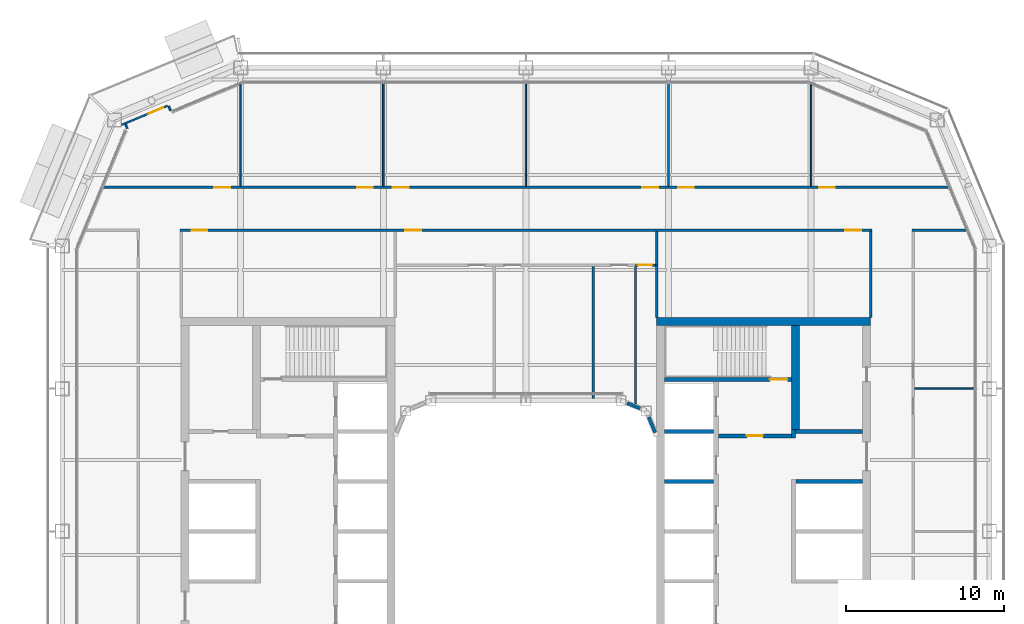
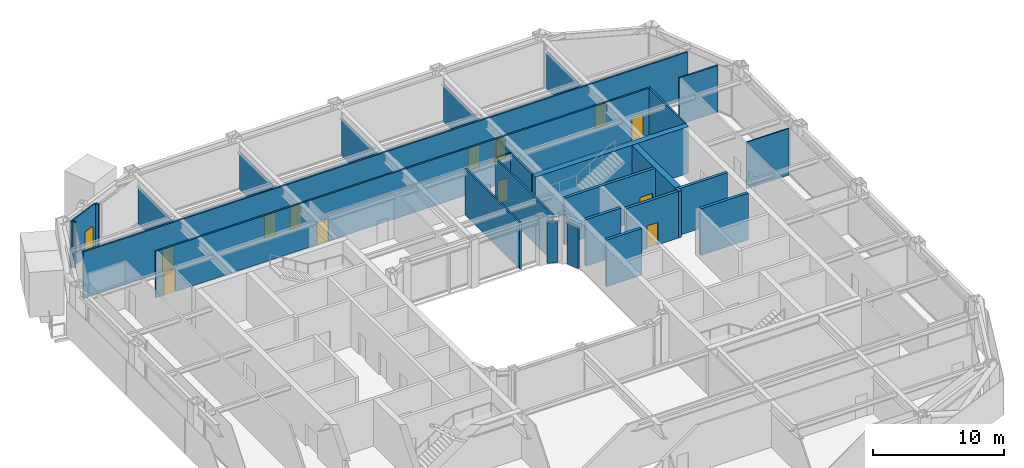
# One storey, part 14 of 23: 29 walls, 13 doors, 13 openings.
"""IFC4 building model written with IfcOpenShell, lengths in metres."""

import ifcopenshell
import ifcopenshell.guid

model = None  # the IFC model being written
_history = None  # IfcOwnerHistory: only IFC2X3 demands one
_inside = {}  # id of a spatial element -> (the spatial element, [elements in it])
_under = {}  # id of a project, library or spatial element -> (it, [spatial elements below it])
_declared = {}  # id of a project -> (the project, [libraries it declares])
_typed = {}  # id of a type object -> (the type object, [elements of that type])
_made_of = {}  # id of a material, layer set ... -> (it, [elements and type objects made of it])


def new_model(schema):
    """Start an empty IFC model of exactly this schema.

    Asked for "IFC4X3", IfcOpenShell would pick the latest addendum, in which some entities
    have other attributes; the version numbers below select the first issue.
    IFC2X3 requires an IfcOwnerHistory on every rooted entity: one is made here for all.
    """
    global model, _history
    if schema == "IFC4X3":
        model = ifcopenshell.file(schema_version=(4, 3, 0, 0))
    else:
        model = ifcopenshell.file(schema=schema)
    _inside.clear()
    _under.clear()
    _declared.clear()
    _typed.clear()
    _made_of.clear()
    _history = None
    if model.schema == "IFC2X3":
        org = make("IfcOrganization", Name="unknown")
        user = make(
            "IfcPersonAndOrganization",
            ThePerson=make("IfcPerson", FamilyName="unknown"),
            TheOrganization=org,
        )
        app = make(
            "IfcApplication",
            ApplicationDeveloper=org,
            Version="unknown",
            ApplicationFullName="unknown",
            ApplicationIdentifier="unknown",
        )
        _history = make(
            "IfcOwnerHistory",
            OwningUser=user,
            OwningApplication=app,
            ChangeAction="ADDED",
            CreationDate=0,
        )
    return model


def make(cls, **values):
    """One entity of the class cls with the attributes given. An attribute that is None is left unset."""
    return model.create_entity(
        cls, **{name: value for name, value in values.items() if value is not None}
    )


def rooted(cls, **values):
    """An entity with a GlobalId (a new one), such as an element, a storey or a relation."""
    return make(cls, GlobalId=ifcopenshell.guid.new(), OwnerHistory=_history, **values)


def si_unit(unit_type, name, prefix=None):
    """IfcSIUnit, for example si_unit("LENGTHUNIT", "METRE", prefix="MILLI")."""
    return make("IfcSIUnit", UnitType=unit_type, Prefix=prefix, Name=name)


def assignment(units):
    """IfcUnitAssignment: the units of a project."""
    return None if units is None else make("IfcUnitAssignment", Units=units)


def point(xyz):
    """IfcCartesianPoint."""
    return None if xyz is None else make("IfcCartesianPoint", Coordinates=xyz)


def direction(xyz):
    """IfcDirection."""
    return None if xyz is None else make("IfcDirection", DirectionRatios=xyz)


def frame(location, z_axis=None, x_axis=None):
    """IfcAxis2Placement3D, a coordinate frame: its origin and axes. An axis left out is left unset."""
    return make(
        "IfcAxis2Placement3D",
        Location=point(location),
        Axis=direction(z_axis),
        RefDirection=direction(x_axis),
    )


def frame_2d(location, x_axis=None):
    """IfcAxis2Placement2D, a coordinate frame in the plane: its origin and x axis."""
    return make(
        "IfcAxis2Placement2D", Location=point(location), RefDirection=direction(x_axis)
    )


def origin():
    """The frame at (0, 0, 0) with its axes left unset."""
    return frame((0.0, 0.0, 0.0))


def place(relative_to, where):
    """IfcLocalPlacement: puts the frame where relative to a parent placement (None: the world)."""
    return make(
        "IfcLocalPlacement", PlacementRelTo=relative_to, RelativePlacement=where
    )


def context(
    kind, dimensions, precision=None, world=None, true_north=None, identifier=None
):
    """IfcGeometricRepresentationContext, for example the 3D "Model" context."""
    return make(
        "IfcGeometricRepresentationContext",
        ContextIdentifier=identifier,
        ContextType=kind,
        CoordinateSpaceDimension=dimensions,
        Precision=precision,
        WorldCoordinateSystem=world,
        TrueNorth=true_north,
    )


def subcontext(parent, identifier, kind, view, scale=None):
    """IfcGeometricRepresentationSubContext, for example "Body" below "Model"."""
    return make(
        "IfcGeometricRepresentationSubContext",
        ContextIdentifier=identifier,
        ContextType=kind,
        ParentContext=parent,
        TargetScale=scale,
        TargetView=view,
    )


def project(units=None, contexts=None):
    """IfcProject with its units and contexts."""
    return rooted(
        "IfcProject",
        Name="project",
        RepresentationContexts=contexts,
        UnitsInContext=assignment(units),
    )


def spatial(cls, under=None, at=None, **own):
    """A site, building, storey or space (cls), placed at a placement, below another one or the project."""
    s = rooted(cls, ObjectPlacement=at, **own)
    if under is not None:
        _under.setdefault(under.id(), (under, []))[1].append(s)
    return s


def profile(cls, at=None, kind="AREA", **sizes):
    """A parametric profile (cls). Its sizes go by their IFC names, for example OverallWidth=200.0."""
    return make(cls, ProfileType=kind, Position=at, **sizes)


def rectangle(**sizes):
    """IfcRectangleProfileDef."""
    return profile("IfcRectangleProfileDef", **sizes)


def extrude(swept, where, along, depth):
    """IfcExtrudedAreaSolid: the profile swept, set in the frame where, extruded along a direction by depth."""
    return make(
        "IfcExtrudedAreaSolid",
        SweptArea=swept,
        Position=where,
        ExtrudedDirection=direction(along),
        Depth=depth,
    )


def shape(context_of_items, identifier, shape_type, items):
    """IfcShapeRepresentation: the items that make up one representation, for example the "Body"."""
    return make(
        "IfcShapeRepresentation",
        ContextOfItems=context_of_items,
        RepresentationIdentifier=identifier,
        RepresentationType=shape_type,
        Items=items,
    )


def material(Name=None, Category=None):
    """IfcMaterial."""
    return make("IfcMaterial", Name=Name, Category=Category)


def layer(
    of_material, thickness, ventilated=None, Name=None, Category=None, Priority=None
):
    """IfcMaterialLayer: one layer of a wall or slab, of a material (None: an air gap)."""
    return make(
        "IfcMaterialLayer",
        Material=of_material,
        LayerThickness=thickness,
        IsVentilated=ventilated,
        Name=Name,
        Category=Category,
        Priority=Priority,
    )


def layer_set(layers, Name=None):
    """IfcMaterialLayerSet."""
    return make("IfcMaterialLayerSet", MaterialLayers=layers, LayerSetName=Name)


def made_of(thing, what):
    """Note that an element or type object is made of a material, layer set ...; save() writes the relation."""
    if what is not None:
        _made_of.setdefault(what.id(), (what, []))[1].append(thing)
    return thing


def type_object(cls, material=None, **own):
    """A type object (cls), such as IfcWallType, which elements share."""
    return made_of(rooted(cls, **own), material)


def element(
    cls,
    number,
    at=None,
    inside=None,
    cuts=None,
    type_object=None,
    material=None,
    context=None,
    identifier="Body",
    shape_type=None,
    held_by="IfcProductDefinitionShape",
    body=None,
    shapes=None,
    **own,
):
    """One element of the class cls, such as IfcWall. Its Tag is "e" and its number.

    at: its placement. inside: the storey or other place that contains it. cuts: it is an
    opening in that element (IfcRelVoidsElement). A single representation is given by context,
    identifier, shape_type and body (its items); several are given by shapes. held_by: the class
    of the entity that holds the representations. save() writes the other relations.
    """
    e = rooted(cls, Tag="e%d" % number, ObjectPlacement=at, **own)
    if body is not None:
        shapes = [shape(context, identifier, shape_type, body)]
    if shapes is not None:
        e.Representation = make(held_by, Representations=shapes)
    if inside is not None:
        _inside.setdefault(inside.id(), (inside, []))[1].append(e)
    if cuts is not None:
        rooted(
            "IfcRelVoidsElement", RelatingBuildingElement=cuts, RelatedOpeningElement=e
        )
    if type_object is not None:
        _typed.setdefault(type_object.id(), (type_object, []))[1].append(e)
    return made_of(e, material)


def fill(opening, filler):
    """IfcRelFillsElement: the door or window that sits in an opening."""
    return rooted(
        "IfcRelFillsElement",
        RelatingOpeningElement=opening,
        RelatedBuildingElement=filler,
    )


def aggregate(whole, parts):
    """IfcRelAggregates: a whole, such as a stair, and the parts it consists of."""
    return rooted("IfcRelAggregates", RelatingObject=whole, RelatedObjects=parts)


def save(model, path):
    """Write the relations noted so far, then the file.

    IfcRelAggregates (storeys below a building ...), IfcRelContainedInSpatialStructure (elements
    in a storey), IfcRelDefinesByType, IfcRelAssociatesMaterial and IfcRelDeclares: one each for
    every whole, place, type object, material and project.
    """
    for whole, parts in _under.values():
        aggregate(whole, parts)
    for where, things in _inside.values():
        rooted(
            "IfcRelContainedInSpatialStructure",
            RelatedElements=things,
            RelatingStructure=where,
        )
    for kind, things in _typed.values():
        rooted("IfcRelDefinesByType", RelatedObjects=things, RelatingType=kind)
    for what, things in _made_of.values():
        rooted("IfcRelAssociatesMaterial", RelatedObjects=things, RelatingMaterial=what)
    for by, libraries in _declared.values():
        rooted("IfcRelDeclares", RelatingContext=by, RelatedDefinitions=libraries)
    model.write(path)


model = new_model("IFC4")

# Units and contexts
model_context = context("Model", 3, precision=1e-05, world=origin(), true_north=direction((0.0, 1.0)))
body_context = subcontext(model_context, "Body", "Model", "MODEL_VIEW")
ifc_project = project(units=[si_unit("LENGTHUNIT", "METRE"), si_unit("AREAUNIT", "SQUARE_METRE"), si_unit("VOLUMEUNIT", "CUBIC_METRE"), si_unit("PLANEANGLEUNIT", "RADIAN"), si_unit("MASSUNIT", "GRAM", prefix="KILO")], contexts=[model_context])

# Site, building, storey
site_placement = place(None, origin())
site = spatial("IfcSite", under=ifc_project, at=site_placement, CompositionType="ELEMENT")
building_placement = place(site_placement, origin())
building = spatial("IfcBuilding", under=site, at=building_placement, Name="Siwar Civic Tower", CompositionType="ELEMENT")
storey_placement = place(building_placement, frame((0.0, 0.0, 172.199951171875)))
storey = spatial("IfcBuildingStorey", under=building, at=storey_placement, Name="L37", CompositionType="ELEMENT", Elevation=172.199951171875)

# Wall, opening, door
ifc_material_1 = material(Name="Gypsum board on steel studs", Category="steel")
ifc_layer_1 = layer(ifc_material_1, 0.14990234375)
ifc_layer_set_1 = layer_set([ifc_layer_1], Name="Gypsum board on steel studs")
wall_type_1 = type_object("IfcWallType", Name="COMPARTMENT PARTITION 150 EI 60", PredefinedType="PARTITIONING", material=ifc_layer_set_1)
wall_1_placement = place(storey_placement, frame((6.919921875, 16.800048828125, 0.0), z_axis=(0.0, 0.0, 1.0), x_axis=(1.0, 0.0, 0.0)))
wall_1 = element("IfcWall", 1, at=wall_1_placement, inside=storey, type_object=wall_type_1, Name="L37/wall/P09", PredefinedType="PARTITIONING", context=body_context, shape_type="SweptSolid", body=[
    extrude(rectangle(XDim=1.255126953125, YDim=0.14990234375, at=frame_2d((0.62744140625, 0.0))), origin(), (0.0, 0.0, 1.0), 4.35009765625),
])
opening_1_placement = place(wall_1_placement, frame((0.14990234375, 0.0, 0.0)))
opening_1 = element("IfcOpeningElement", 2, at=opening_1_placement, cuts=wall_1, Name="Opening D4", PredefinedType="OPENING", context=body_context, shape_type="SweptSolid", body=[
    extrude(rectangle(XDim=0.89990234375, YDim=2.10009765625, at=frame_2d((0.449951171875, 1.050048828125))), frame((0.0, 0.0849609375, 0.0), z_axis=(0.0, -1.0, 0.0), x_axis=(1.0, 0.0, 0.0)), (0.0, 0.0, 1.0), 0.169921875),
])
ifc_material_2 = material(Name="Timber, painted", Category="wood")
door_type_1 = type_object("IfcDoorType", Name="DOOR 900 X 2100 FD60", OperationType="SINGLE_SWING_LEFT", PredefinedType="DOOR", material=ifc_material_2)
door_1_placement = place(opening_1_placement, origin())
door_1 = element("IfcDoor", 3, at=door_1_placement, inside=storey, type_object=door_type_1, Name="L37-D17", OperationType="SINGLE_SWING_LEFT", OverallHeight=2.10009765625, OverallWidth=0.89990234375, PredefinedType="DOOR", context=body_context, shape_type="SweptSolid", body=[
    extrude(rectangle(XDim=0.89990234375, YDim=2.10009765625, at=frame_2d((0.449951171875, 1.050048828125))), frame((0.0, 0.02490234375, 0.0), z_axis=(0.0, -1.0, 0.0), x_axis=(1.0, 0.0, 0.0)), (0.0, 0.0, 1.0), 0.050048828125),
])
fill(opening_1, door_1)

# Walls
wall_2_placement = place(storey_placement, frame((6.919921875, 8.02490234375, 0.0), z_axis=(0.0, 0.0, 1.0), x_axis=(0.0, 1.0, 0.0)))
element("IfcWall", 4, at=wall_2_placement, inside=storey, type_object=wall_type_1, Name="L37/wall/P27", PredefinedType="PARTITIONING", context=body_context, shape_type="SweptSolid", body=[
    extrude(rectangle(XDim=8.7001953125, YDim=0.14990234375, at=frame_2d((4.35009765625, 0.0))), origin(), (0.0, 0.0, 1.0), 4.35009765625),
])
wall_3_placement = place(storey_placement, frame((8.25, 13.5, 0.0), z_axis=(0.0, 0.0, 1.0), x_axis=(0.0, 1.0, 0.0)))
element("IfcWall", 5, at=wall_3_placement, inside=storey, type_object=wall_type_1, Name="L37/wall/P30", PredefinedType="PARTITIONING", context=body_context, shape_type="SweptSolid", body=[
    extrude(rectangle(XDim=3.300048828125, YDim=0.14990234375, at=frame_2d((1.64990234375, 0.0))), origin(), (0.0, 0.0, 1.0), 4.35009765625),
])

# Wall, opening, door
ifc_material_3 = material(Name="Concrete C60/75", Category="concrete")
ifc_layer_2 = layer(ifc_material_3, 0.25)
ifc_layer_set_2 = layer_set([ifc_layer_2], Name="Concrete C60/75")
wall_type_2 = type_object("IfcWallType", Name="CORE-WALL-RC250", PredefinedType="SHEAR", material=ifc_layer_set_2)
wall_4_placement = place(storey_placement, frame((12.14990234375, 6.02490234375, 0.0), z_axis=(0.0, 0.0, 1.0), x_axis=(1.0, 0.0, 0.0)))
wall_4 = element("IfcWall", 6, at=wall_4_placement, inside=storey, type_object=wall_type_2, Name="Core wall E", PredefinedType="SHEAR", context=body_context, shape_type="SweptSolid", body=[
    extrude(rectangle(XDim=4.60009765625, YDim=0.25, at=frame_2d((2.300048828125, 0.0))), origin(), (0.0, 0.0, 1.0), 4.35009765625),
])
opening_2_placement = place(wall_4_placement, frame((1.800048828125, 0.0, 0.0)))
opening_2 = element("IfcOpeningElement", 7, at=opening_2_placement, cuts=wall_4, Name="Opening L37-CE01", PredefinedType="OPENING", context=body_context, shape_type="SweptSolid", body=[
    extrude(rectangle(XDim=1.0, YDim=2.10009765625, at=frame_2d((0.5, 1.050048828125))), frame((0.0, 0.135009765625, 0.0), z_axis=(0.0, -1.0, 0.0), x_axis=(1.0, 0.0, 0.0)), (0.0, 0.0, 1.0), 0.27001953125),
])
ifc_material_4 = material(Name="Steel door leaf", Category="steel")
door_type_2 = type_object("IfcDoorType", Name="CORE-DOOR-FD30S", OperationType="SINGLE_SWING_LEFT", PredefinedType="DOOR", material=ifc_material_4)
door_2_placement = place(opening_2_placement, origin())
door_2 = element("IfcDoor", 8, at=door_2_placement, inside=storey, type_object=door_type_2, Name="Firefighting lobby door L37-CE01", OperationType="SINGLE_SWING_RIGHT", OverallHeight=2.10009765625, OverallWidth=1.0, PredefinedType="DOOR", context=body_context, shape_type="SweptSolid", body=[
    extrude(rectangle(XDim=1.0, YDim=2.10009765625, at=frame_2d((0.5, 1.050048828125))), frame((0.0, 0.02490234375, 0.0), z_axis=(0.0, -1.0, 0.0), x_axis=(1.0, 0.0, 0.0)), (0.0, 0.0, 1.0), 0.050048828125),
])
fill(opening_2, door_2)

# Walls
wall_5_placement = place(storey_placement, frame((16.875, 5.89990234375, 0.0), z_axis=(0.0, 0.0, 1.0), x_axis=(0.0, 1.0, 0.0)))
element("IfcWall", 9, at=wall_5_placement, inside=storey, type_object=wall_type_2, Name="Core wall E", PredefinedType="SHEAR", context=body_context, shape_type="SweptSolid", body=[
    extrude(rectangle(XDim=0.525146484375, YDim=0.25, at=frame_2d((0.2626953125, 0.0))), origin(), (0.0, 0.0, 1.0), 4.35009765625),
])
wall_6_placement = place(storey_placement, frame((17.0, 6.300048828125, 0.0), z_axis=(0.0, 0.0, 1.0), x_axis=(1.0, 0.0, 0.0)))
element("IfcWall", 10, at=wall_6_placement, inside=storey, type_object=wall_type_2, Name="Core wall E", PredefinedType="SHEAR", context=body_context, shape_type="SweptSolid", body=[
    extrude(rectangle(XDim=4.25, YDim=0.25, at=frame_2d((2.125, 0.0))), origin(), (0.0, 0.0, 1.0), 4.35009765625),
])
wall_7_placement = place(storey_placement, frame((17.050048828125, 3.14990234375, 0.0), z_axis=(0.0, 0.0, 1.0), x_axis=(1.0, 0.0, 0.0)))
element("IfcWall", 11, at=wall_7_placement, inside=storey, type_object=wall_type_2, Name="Core wall E", PredefinedType="SHEAR", context=body_context, shape_type="SweptSolid", body=[
    extrude(rectangle(XDim=4.199951171875, YDim=0.25, at=frame_2d((2.10009765625, 0.0))), origin(), (0.0, 0.0, 1.0), 4.35009765625),
])
for number, where, z_axis, x_axis, name in (
    (12, (8.75, 3.14990234375, 0.0), (0.0, 0.0, 1.0), (1.0, 0.0, 0.0), "Core wall E"),
    (13, (8.75, 6.300048828125, 0.0), (0.0, 0.0, 1.0), (1.0, 0.0, 0.0), "Core wall E"),
):
    element("IfcWall", number, at=place(storey_placement, frame(where, z_axis=z_axis, x_axis=x_axis)), inside=storey, type_object=wall_type_2, Name=name, PredefinedType="SHEAR", context=body_context, shape_type="SweptSolid", body=[
        extrude(rectangle(XDim=3.10009765625, YDim=0.25, at=frame_2d((1.550048828125, 0.0))), origin(), (0.0, 0.0, 1.0), 4.35009765625),
    ])

# Wall, opening, door
wall_8_placement = place(storey_placement, frame((8.75, 9.574951171875, 0.0), z_axis=(0.0, 0.0, 1.0), x_axis=(1.0, 0.0, 0.0)))
wall_8 = element("IfcWall", 14, at=wall_8_placement, inside=storey, type_object=wall_type_2, Name="Core wall E", PredefinedType="SHEAR", context=body_context, shape_type="SweptSolid", body=[
    extrude(rectangle(XDim=8.0, YDim=0.25, at=frame_2d((4.0, 0.0))), origin(), (0.0, 0.0, 1.0), 4.35009765625),
])
opening_3_placement = place(wall_8_placement, frame((6.64990234375, 0.0, 0.0)))
opening_3 = element("IfcOpeningElement", 15, at=opening_3_placement, cuts=wall_8, Name="Opening L37-CE03", PredefinedType="OPENING", context=body_context, shape_type="SweptSolid", body=[
    extrude(rectangle(XDim=1.10009765625, YDim=2.10009765625, at=frame_2d((0.550048828125, 1.050048828125))), frame((0.0, 0.135009765625, 0.0), z_axis=(0.0, -1.0, 0.0), x_axis=(1.0, 0.0, 0.0)), (0.0, 0.0, 1.0), 0.27001953125),
])
ifc_material_5 = material(Name="Steel door leaf", Category="steel")
door_type_3 = type_object("IfcDoorType", Name="CORE-DOOR-FD60S", OperationType="SINGLE_SWING_LEFT", PredefinedType="DOOR", material=ifc_material_5)
door_3_placement = place(opening_3_placement, origin())
door_3 = element("IfcDoor", 16, at=door_3_placement, inside=storey, type_object=door_type_3, Name="Stair door L37-CE03", OperationType="SINGLE_SWING_LEFT", OverallHeight=2.10009765625, OverallWidth=1.10009765625, PredefinedType="DOOR", context=body_context, shape_type="SweptSolid", body=[
    extrude(rectangle(XDim=1.10009765625, YDim=2.10009765625, at=frame_2d((0.550048828125, 1.050048828125))), frame((0.0, 0.02490234375, 0.0), z_axis=(0.0, -1.0, 0.0), x_axis=(1.0, 0.0, 0.0)), (0.0, 0.0, 1.0), 0.050048828125),
])
fill(opening_3, door_3)

# Walls
ifc_material_6 = material(Name="Concrete C60/75", Category="concrete")
ifc_layer_3 = layer(ifc_material_6, 0.5)
ifc_layer_set_3 = layer_set([ifc_layer_3], Name="Concrete C60/75")
wall_type_3 = type_object("IfcWallType", Name="CORE-WALL-RC500", PredefinedType="SHEAR", material=ifc_layer_set_3)
wall_9_placement = place(storey_placement, frame((17.0, 6.425048828125, 0.0), z_axis=(0.0, 0.0, 1.0), x_axis=(0.0, 1.0, 0.0)))
element("IfcWall", 17, at=wall_9_placement, inside=storey, type_object=wall_type_3, Name="Core wall E", PredefinedType="SHEAR", context=body_context, shape_type="SweptSolid", body=[
    extrude(rectangle(XDim=6.574951171875, YDim=0.5, at=frame_2d((3.28759765625, 0.0))), origin(), (0.0, 0.0, 1.0), 4.35009765625),
])
wall_10_placement = place(storey_placement, frame((8.25, 13.25, 0.0), z_axis=(0.0, 0.0, 1.0), x_axis=(1.0, 0.0, 0.0)))
element("IfcWall", 18, at=wall_10_placement, inside=storey, type_object=wall_type_3, Name="Core wall E", PredefinedType="SHEAR", context=body_context, shape_type="SweptSolid", body=[
    extrude(rectangle(XDim=13.5, YDim=0.5, at=frame_2d((6.75, 0.0))), origin(), (0.0, 0.0, 1.0), 4.35009765625),
])

# Wall, openings, doors
ifc_material_7 = material(Name="Gypsum board on steel studs", Category="steel")
ifc_layer_4 = layer(ifc_material_7, 0.14990234375)
ifc_layer_set_4 = layer_set([ifc_layer_4], Name="Gypsum board on steel studs")
wall_type_4 = type_object("IfcWallType", Name="CORRIDOR PARTITION 150 EI 30", PredefinedType="PARTITIONING", material=ifc_layer_set_4)
wall_11_placement = place(storey_placement, frame((-21.824951171875, 19.0, 0.0), z_axis=(0.0, 0.0, 1.0), x_axis=(1.0, 0.0, 0.0)))
wall_11 = element("IfcWall", 19, at=wall_11_placement, inside=storey, type_object=wall_type_4, Name="L37/wall/P11", PredefinedType="PARTITIONING", context=body_context, shape_type="SweptSolid", body=[
    extrude(rectangle(XDim=43.64990234375, YDim=0.14990234375, at=frame_2d((21.824951171875, 0.0))), origin(), (0.0, 0.0, 1.0), 4.35009765625),
])
opening_4_placement = place(wall_11_placement, frame((14.22509765625, 0.0, 0.0)))
opening_4 = element("IfcOpeningElement", 20, at=opening_4_placement, cuts=wall_11, Name="Opening D1", PredefinedType="OPENING", context=body_context, shape_type="SweptSolid", body=[
    extrude(rectangle(XDim=1.0, YDim=2.10009765625, at=frame_2d((0.5, 1.050048828125))), frame((0.0, 0.0849609375, 0.0), z_axis=(0.0, -1.0, 0.0), x_axis=(1.0, 0.0, 0.0)), (0.0, 0.0, 1.0), 0.169921875),
])
opening_5_placement = place(wall_11_placement, frame((0.72509765625, 0.0, 0.0)))
opening_5 = element("IfcOpeningElement", 21, at=opening_5_placement, cuts=wall_11, Name="Opening D1", PredefinedType="OPENING", context=body_context, shape_type="SweptSolid", body=[
    extrude(rectangle(XDim=1.0, YDim=2.10009765625, at=frame_2d((0.5, 1.050048828125))), frame((0.0, 0.0849609375, 0.0), z_axis=(0.0, -1.0, 0.0), x_axis=(1.0, 0.0, 0.0)), (0.0, 0.0, 1.0), 0.169921875),
])
opening_6_placement = place(wall_11_placement, frame((41.97509765625, 0.0, 0.0)))
opening_6 = element("IfcOpeningElement", 22, at=opening_6_placement, cuts=wall_11, Name="Opening D1", PredefinedType="OPENING", context=body_context, shape_type="SweptSolid", body=[
    extrude(rectangle(XDim=1.0, YDim=2.10009765625, at=frame_2d((0.5, 1.050048828125))), frame((0.0, 0.0849609375, 0.0), z_axis=(0.0, -1.0, 0.0), x_axis=(1.0, 0.0, 0.0)), (0.0, 0.0, 1.0), 0.169921875),
])
ifc_material_8 = material(Name="Timber, painted", Category="wood")
door_type_4 = type_object("IfcDoorType", Name="DOOR 1000 X 2100 FD30", OperationType="SINGLE_SWING_LEFT", PredefinedType="DOOR", material=ifc_material_8)
door_4_placement = place(opening_4_placement, origin())
door_4 = element("IfcDoor", 23, at=door_4_placement, inside=storey, type_object=door_type_4, Name="L37-D13", OperationType="SINGLE_SWING_LEFT", OverallHeight=2.10009765625, OverallWidth=1.0, PredefinedType="DOOR", context=body_context, shape_type="SweptSolid", body=[
    extrude(rectangle(XDim=1.0, YDim=2.10009765625, at=frame_2d((0.5, 1.050048828125))), frame((0.0, 0.02490234375, 0.0), z_axis=(0.0, -1.0, 0.0), x_axis=(1.0, 0.0, 0.0)), (0.0, 0.0, 1.0), 0.050048828125),
])
fill(opening_4, door_4)
door_5_placement = place(opening_5_placement, origin())
door_5 = element("IfcDoor", 24, at=door_5_placement, inside=storey, type_object=door_type_4, Name="L37-D19", OperationType="SINGLE_SWING_LEFT", OverallHeight=2.10009765625, OverallWidth=1.0, PredefinedType="DOOR", context=body_context, shape_type="SweptSolid", body=[
    extrude(rectangle(XDim=1.0, YDim=2.10009765625, at=frame_2d((0.5, 1.050048828125))), frame((0.0, 0.02490234375, 0.0), z_axis=(0.0, -1.0, 0.0), x_axis=(1.0, 0.0, 0.0)), (0.0, 0.0, 1.0), 0.050048828125),
])
fill(opening_5, door_5)
door_6_placement = place(opening_6_placement, origin())
door_6 = element("IfcDoor", 25, at=door_6_placement, inside=storey, type_object=door_type_4, Name="L37-D20", OperationType="SINGLE_SWING_RIGHT", OverallHeight=2.10009765625, OverallWidth=1.0, PredefinedType="DOOR", context=body_context, shape_type="SweptSolid", body=[
    extrude(rectangle(XDim=1.0, YDim=2.10009765625, at=frame_2d((0.5, 1.050048828125))), frame((0.0, 0.02490234375, 0.0), z_axis=(0.0, -1.0, 0.0), x_axis=(1.0, 0.0, 0.0)), (0.0, 0.0, 1.0), 0.050048828125),
])
fill(opening_6, door_6)

# Wall
wall_12_placement = place(storey_placement, frame((24.375, 19.0, 0.0), z_axis=(0.0, 0.0, 1.0), x_axis=(1.0, 0.0, 0.0)))
element("IfcWall", 26, at=wall_12_placement, inside=storey, type_object=wall_type_4, Name="L37/wall/P12", PredefinedType="PARTITIONING", context=body_context, shape_type="SweptSolid", body=[
    extrude(rectangle(XDim=3.388916015625, YDim=0.14990234375, at=frame_2d((1.6943359375, 0.0))), origin(), (0.0, 0.0, 1.0), 4.35009765625),
])

# Wall, openings, doors
wall_13_placement = place(storey_placement, frame((-26.64599609375, 21.699951171875, 0.0), z_axis=(0.0, 0.0, 1.0), x_axis=(1.0, 0.0, 0.0)))
wall_13 = element("IfcWall", 27, at=wall_13_placement, inside=storey, type_object=wall_type_4, Name="L37/wall/P13", PredefinedType="PARTITIONING", context=body_context, shape_type="SweptSolid", body=[
    extrude(rectangle(XDim=53.2919921875, YDim=0.14990234375, at=frame_2d((26.64599609375, 0.0))), origin(), (0.0, 0.0, 1.0), 4.35009765625),
])
opening_7_placement = place(wall_13_placement, frame((15.99609375, 0.0, 0.0)))
opening_7 = element("IfcOpeningElement", 28, at=opening_7_placement, cuts=wall_13, Name="Opening D1", PredefinedType="OPENING", context=body_context, shape_type="SweptSolid", body=[
    extrude(rectangle(XDim=1.0, YDim=2.10009765625, at=frame_2d((0.5, 1.050048828125))), frame((0.0, 0.0849609375, 0.0), z_axis=(0.0, -1.0, 0.0), x_axis=(1.0, 0.0, 0.0)), (0.0, 0.0, 1.0), 0.169921875),
])
opening_8_placement = place(wall_13_placement, frame((18.24609375, 0.0, 0.0)))
opening_8 = element("IfcOpeningElement", 29, at=opening_8_placement, cuts=wall_13, Name="Opening D1", PredefinedType="OPENING", context=body_context, shape_type="SweptSolid", body=[
    extrude(rectangle(XDim=1.0, YDim=2.10009765625, at=frame_2d((0.5, 1.050048828125))), frame((0.0, 0.0849609375, 0.0), z_axis=(0.0, -1.0, 0.0), x_axis=(1.0, 0.0, 0.0)), (0.0, 0.0, 1.0), 0.169921875),
])
opening_9_placement = place(wall_13_placement, frame((33.99609375, 0.0, 0.0)))
opening_9 = element("IfcOpeningElement", 30, at=opening_9_placement, cuts=wall_13, Name="Opening D1", PredefinedType="OPENING", context=body_context, shape_type="SweptSolid", body=[
    extrude(rectangle(XDim=1.0, YDim=2.10009765625, at=frame_2d((0.5, 1.050048828125))), frame((0.0, 0.0849609375, 0.0), z_axis=(0.0, -1.0, 0.0), x_axis=(1.0, 0.0, 0.0)), (0.0, 0.0, 1.0), 0.169921875),
])
opening_10_placement = place(wall_13_placement, frame((36.24609375, 0.0, 0.0)))
opening_10 = element("IfcOpeningElement", 31, at=opening_10_placement, cuts=wall_13, Name="Opening D1", PredefinedType="OPENING", context=body_context, shape_type="SweptSolid", body=[
    extrude(rectangle(XDim=1.0, YDim=2.10009765625, at=frame_2d((0.5, 1.050048828125))), frame((0.0, 0.0849609375, 0.0), z_axis=(0.0, -1.0, 0.0), x_axis=(1.0, 0.0, 0.0)), (0.0, 0.0, 1.0), 0.169921875),
])
opening_11_placement = place(wall_13_placement, frame((6.99609375, 0.0, 0.0)))
opening_11 = element("IfcOpeningElement", 32, at=opening_11_placement, cuts=wall_13, Name="Opening D1", PredefinedType="OPENING", context=body_context, shape_type="SweptSolid", body=[
    extrude(rectangle(XDim=1.0, YDim=2.10009765625, at=frame_2d((0.5, 1.050048828125))), frame((0.0, 0.0849609375, 0.0), z_axis=(0.0, -1.0, 0.0), x_axis=(1.0, 0.0, 0.0)), (0.0, 0.0, 1.0), 0.169921875),
])
opening_12_placement = place(wall_13_placement, frame((45.14208984375, 0.0, 0.0)))
opening_12 = element("IfcOpeningElement", 33, at=opening_12_placement, cuts=wall_13, Name="Opening D1", PredefinedType="OPENING", context=body_context, shape_type="SweptSolid", body=[
    extrude(rectangle(XDim=1.0, YDim=2.10009765625, at=frame_2d((0.5, 1.050048828125))), frame((0.0, 0.0849609375, 0.0), z_axis=(0.0, -1.0, 0.0), x_axis=(1.0, 0.0, 0.0)), (0.0, 0.0, 1.0), 0.169921875),
])
door_7_placement = place(opening_7_placement, origin())
door_7 = element("IfcDoor", 34, at=door_7_placement, inside=storey, type_object=door_type_4, Name="L37-D01", OperationType="SINGLE_SWING_LEFT", OverallHeight=2.10009765625, OverallWidth=1.0, PredefinedType="DOOR", context=body_context, shape_type="SweptSolid", body=[
    extrude(rectangle(XDim=1.0, YDim=2.10009765625, at=frame_2d((0.5, 1.050048828125))), frame((0.0, 0.02490234375, 0.0), z_axis=(0.0, -1.0, 0.0), x_axis=(1.0, 0.0, 0.0)), (0.0, 0.0, 1.0), 0.050048828125),
])
fill(opening_7, door_7)
door_8_placement = place(opening_8_placement, origin())
door_8 = element("IfcDoor", 35, at=door_8_placement, inside=storey, type_object=door_type_4, Name="L37-D02", OperationType="SINGLE_SWING_RIGHT", OverallHeight=2.10009765625, OverallWidth=1.0, PredefinedType="DOOR", context=body_context, shape_type="SweptSolid", body=[
    extrude(rectangle(XDim=1.0, YDim=2.10009765625, at=frame_2d((0.5, 1.050048828125))), frame((0.0, 0.02490234375, 0.0), z_axis=(0.0, -1.0, 0.0), x_axis=(1.0, 0.0, 0.0)), (0.0, 0.0, 1.0), 0.050048828125),
])
fill(opening_8, door_8)
door_9_placement = place(opening_9_placement, origin())
door_9 = element("IfcDoor", 36, at=door_9_placement, inside=storey, type_object=door_type_4, Name="L37-D03", OperationType="SINGLE_SWING_LEFT", OverallHeight=2.10009765625, OverallWidth=1.0, PredefinedType="DOOR", context=body_context, shape_type="SweptSolid", body=[
    extrude(rectangle(XDim=1.0, YDim=2.10009765625, at=frame_2d((0.5, 1.050048828125))), frame((0.0, 0.02490234375, 0.0), z_axis=(0.0, -1.0, 0.0), x_axis=(1.0, 0.0, 0.0)), (0.0, 0.0, 1.0), 0.050048828125),
])
fill(opening_9, door_9)
door_10_placement = place(opening_10_placement, origin())
door_10 = element("IfcDoor", 37, at=door_10_placement, inside=storey, type_object=door_type_4, Name="L37-D04", OperationType="SINGLE_SWING_RIGHT", OverallHeight=2.10009765625, OverallWidth=1.0, PredefinedType="DOOR", context=body_context, shape_type="SweptSolid", body=[
    extrude(rectangle(XDim=1.0, YDim=2.10009765625, at=frame_2d((0.5, 1.050048828125))), frame((0.0, 0.02490234375, 0.0), z_axis=(0.0, -1.0, 0.0), x_axis=(1.0, 0.0, 0.0)), (0.0, 0.0, 1.0), 0.050048828125),
])
fill(opening_10, door_10)
door_11_placement = place(opening_11_placement, origin())
door_11 = element("IfcDoor", 38, at=door_11_placement, inside=storey, type_object=door_type_4, Name="L37-D09", OperationType="SINGLE_SWING_LEFT", OverallHeight=2.10009765625, OverallWidth=1.0, PredefinedType="DOOR", context=body_context, shape_type="SweptSolid", body=[
    extrude(rectangle(XDim=1.0, YDim=2.10009765625, at=frame_2d((0.5, 1.050048828125))), frame((0.0, 0.02490234375, 0.0), z_axis=(0.0, -1.0, 0.0), x_axis=(1.0, 0.0, 0.0)), (0.0, 0.0, 1.0), 0.050048828125),
])
fill(opening_11, door_11)
door_12_placement = place(opening_12_placement, origin())
door_12 = element("IfcDoor", 39, at=door_12_placement, inside=storey, type_object=door_type_4, Name="L37-D10", OperationType="SINGLE_SWING_RIGHT", OverallHeight=2.10009765625, OverallWidth=1.0, PredefinedType="DOOR", context=body_context, shape_type="SweptSolid", body=[
    extrude(rectangle(XDim=1.0, YDim=2.10009765625, at=frame_2d((0.5, 1.050048828125))), frame((0.0, 0.02490234375, 0.0), z_axis=(0.0, -1.0, 0.0), x_axis=(1.0, 0.0, 0.0)), (0.0, 0.0, 1.0), 0.050048828125),
])
fill(opening_12, door_12)

# Walls
wall_14_placement = place(storey_placement, frame((4.25, 8.3701171875, 0.0), z_axis=(0.0, 0.0, 1.0), x_axis=(0.0, 1.0, 0.0)))
element("IfcWall", 40, at=wall_14_placement, inside=storey, type_object=wall_type_4, Name="L37/wall/P26", PredefinedType="PARTITIONING", context=body_context, shape_type="SweptSolid", body=[
    extrude(rectangle(XDim=8.35498046875, YDim=0.14990234375, at=frame_2d((4.177490234375, 0.0))), origin(), (0.0, 0.0, 1.0), 4.35009765625),
])
wall_15_placement = place(storey_placement, frame((8.25, 16.800048828125, 0.0), z_axis=(0.0, 0.0, 1.0), x_axis=(0.0, 1.0, 0.0)))
element("IfcWall", 41, at=wall_15_placement, inside=storey, type_object=wall_type_4, Name="L37/wall/P29", PredefinedType="PARTITIONING", context=body_context, shape_type="SweptSolid", body=[
    extrude(rectangle(XDim=2.125, YDim=0.14990234375, at=frame_2d((1.0625, 0.0))), origin(), (0.0, 0.0, 1.0), 4.35009765625),
])
wall_16_placement = place(storey_placement, frame((21.75, 13.5, 0.0), z_axis=(0.0, 0.0, 1.0), x_axis=(0.0, 1.0, 0.0)))
element("IfcWall", 42, at=wall_16_placement, inside=storey, type_object=wall_type_4, Name="L37/wall/P36", PredefinedType="PARTITIONING", context=body_context, shape_type="SweptSolid", body=[
    extrude(rectangle(XDim=5.425048828125, YDim=0.14990234375, at=frame_2d((2.71240234375, 0.0))), origin(), (0.0, 0.0, 1.0), 4.35009765625),
])
ifc_material_9 = material(Name="Aluminium clad insulated panel", Category="aluminium")
ifc_layer_5 = layer(ifc_material_9, 0.1201171875)
ifc_layer_set_5 = layer_set([ifc_layer_5], Name="Aluminium clad insulated panel")
wall_type_5 = type_object("IfcWallType", Name="ENV-WALL-BAL", PredefinedType="STANDARD", material=ifc_layer_set_5)
for number, where, z_axis, x_axis, name in (
    (43, (-22.42529296875, 26.551025390625, 0.0), (0.0, 0.0, 1.0), (-0.382103986862, 0.924119333865, 0.0), "Balcony door wall return NW1"),
    (44, (-25.153076171875, 25.421142578125, 0.0), (0.0, 0.0, 1.0), (-0.383120166156, 0.923698510492, 0.0), "Balcony door wall return NW1"),
):
    element("IfcWall", number, at=place(storey_placement, frame(where, z_axis=z_axis, x_axis=x_axis)), inside=storey, type_object=wall_type_5, Name=name, PredefinedType="STANDARD", context=body_context, shape_type="SweptSolid", body=[
        extrude(rectangle(XDim=0.2900390625, YDim=0.1201171875, at=frame_2d((0.14501953125, 0.0))), origin(), (0.0, 0.0, 1.0), 4.35009765625),
    ])

# Wall, opening, door
wall_17_placement = place(storey_placement, frame((-22.614501953125, 26.8515625, 0.0), z_axis=(0.0, 0.0, 1.0), x_axis=(-0.923876066186, -0.382691800707, 0.0)))
wall_17 = element("IfcWall", 45, at=wall_17_placement, inside=storey, type_object=wall_type_5, Name="Balcony door wall NW1", PredefinedType="STANDARD", context=body_context, shape_type="SweptSolid", body=[
    extrude(rectangle(XDim=3.12841796875, YDim=0.1201171875, at=frame_2d((1.564208984375, 0.0))), origin(), (0.0, 0.0, 1.0), 4.35009765625),
])
opening_13_placement = place(wall_17_placement, frame((0.300048828125, 0.0, 0.0)))
opening_13 = element("IfcOpeningElement", 46, at=opening_13_placement, cuts=wall_17, Name="Opening D-BAL", PredefinedType="OPENING", context=body_context, shape_type="SweptSolid", body=[
    extrude(rectangle(XDim=1.0, YDim=2.39990234375, at=frame_2d((0.5, 1.199951171875))), frame((0.0, 0.070068359375, 0.0), z_axis=(0.0, -1.0, 0.0), x_axis=(1.0, 0.0, 0.0)), (0.0, 0.0, 1.0), 0.14013671875),
])
ifc_material_10 = material(Name="Aluminium and glass", Category="aluminium")
door_type_5 = type_object("IfcDoorType", Name="ENV-DOOR-BAL", OperationType="SINGLE_SWING_LEFT", PredefinedType="DOOR", material=ifc_material_10)
door_13_placement = place(opening_13_placement, origin())
door_13 = element("IfcDoor", 47, at=door_13_placement, inside=storey, type_object=door_type_5, Name="Balcony door NW", OperationType="SINGLE_SWING_LEFT", OverallHeight=2.39990234375, OverallWidth=1.0, PredefinedType="DOOR", context=body_context, shape_type="SweptSolid", body=[
    extrude(rectangle(XDim=1.0, YDim=2.39990234375, at=frame_2d((0.5, 1.199951171875))), frame((0.0, 0.02490234375, 0.0), z_axis=(0.0, -1.0, 0.0), x_axis=(1.0, 0.0, 0.0)), (0.0, 0.0, 1.0), 0.050048828125),
])
fill(opening_13, door_13)

# Walls
ifc_material_11 = material(Name="Aluminium clad insulated panel", Category="aluminium")
ifc_layer_6 = layer(ifc_material_11, 0.199951171875)
ifc_layer_set_6 = layer_set([ifc_layer_6], Name="Aluminium clad insulated panel")
wall_type_6 = type_object("IfcWallType", Name="ENV-WALL-WELL", PredefinedType="STANDARD", material=ifc_layer_set_6)
wall_18_placement = place(storey_placement, frame((8.154296875, 6.23095703125, 0.0), z_axis=(0.0, 0.0, 1.0), x_axis=(-0.382694858887, 0.923874799408, 0.0)))
element("IfcWall", 48, at=wall_18_placement, inside=storey, type_object=wall_type_6, Name="Light well corner wall NE1", PredefinedType="STANDARD", context=body_context, shape_type="SweptSolid", body=[
    extrude(rectangle(XDim=1.047607421875, YDim=0.199951171875, at=frame_2d((0.52392578125, 0.0))), origin(), (0.0, 0.0, 1.0), 3.825927734375),
])
wall_19_placement = place(storey_placement, frame((7.19873046875, 7.75341796875, 0.0), z_axis=(0.0, 0.0, 1.0), x_axis=(-0.923894108428, 0.382648241093, 0.0)))
element("IfcWall", 49, at=wall_19_placement, inside=storey, type_object=wall_type_6, Name="Light well corner wall NE2", PredefinedType="STANDARD", context=body_context, shape_type="SweptSolid", body=[
    extrude(rectangle(XDim=0.872802734375, YDim=0.199951171875, at=frame_2d((0.4365234375, 0.0))), origin(), (0.0, 0.0, 1.0), 3.825927734375),
])
ifc_material_12 = material(Name="Gypsum board on steel studs", Category="steel")
ifc_layer_7 = layer(ifc_material_12, 0.10009765625)
ifc_layer_set_7 = layer_set([ifc_layer_7], Name="Gypsum board on steel studs")
wall_type_7 = type_object("IfcWallType", Name="PARTITION 100 GYPSUM", PredefinedType="PARTITIONING", material=ifc_layer_set_7)
wall_20_placement = place(storey_placement, frame((24.52490234375, 9.0, 0.0), z_axis=(0.0, 0.0, 1.0), x_axis=(1.0, 0.0, 0.0)))
element("IfcWall", 50, at=wall_20_placement, inside=storey, type_object=wall_type_7, Name="L37/wall/P07", PredefinedType="PARTITIONING", context=body_context, shape_type="SweptSolid", body=[
    extrude(rectangle(XDim=3.735107421875, YDim=0.10009765625, at=frame_2d((1.86767578125, 0.0))), origin(), (0.0, 0.0, 1.0), 4.35009765625),
])
wall_21_placement = place(storey_placement, frame((-18.0, 21.77490234375, 0.0), z_axis=(0.0, 0.0, 1.0), x_axis=(0.0, 1.0, 0.0)))
element("IfcWall", 51, at=wall_21_placement, inside=storey, type_object=wall_type_7, Name="L37/wall/P18", PredefinedType="PARTITIONING", context=body_context, shape_type="SweptSolid", body=[
    extrude(rectangle(XDim=6.403076171875, YDim=0.10009765625, at=frame_2d((3.20166015625, 0.0))), origin(), (0.0, 0.0, 1.0), 3.449951171875),
])
for number, where, z_axis, x_axis, name in (
    (52, (-9.0, 21.77490234375, 0.0), (0.0, 0.0, 1.0), (0.0, 1.0, 0.0), "L37/wall/P20"),
    (53, (0.0, 21.77490234375, 0.0), (0.0, 0.0, 1.0), (0.0, 1.0, 0.0), "L37/wall/P25"),
    (54, (9.0, 21.77490234375, 0.0), (0.0, 0.0, 1.0), (0.0, 1.0, 0.0), "L37/wall/P32"),
):
    element("IfcWall", number, at=place(storey_placement, frame(where, z_axis=z_axis, x_axis=x_axis)), inside=storey, type_object=wall_type_7, Name=name, PredefinedType="PARTITIONING", context=body_context, shape_type="SweptSolid", body=[
        extrude(rectangle(XDim=6.485107421875, YDim=0.10009765625, at=frame_2d((3.24267578125, 0.0))), origin(), (0.0, 0.0, 1.0), 3.449951171875),
    ])
wall_22_placement = place(storey_placement, frame((18.0, 21.77490234375, 0.0), z_axis=(0.0, 0.0, 1.0), x_axis=(0.0, 1.0, 0.0)))
element("IfcWall", 55, at=wall_22_placement, inside=storey, type_object=wall_type_7, Name="L37/wall/P34", PredefinedType="PARTITIONING", context=body_context, shape_type="SweptSolid", body=[
    extrude(rectangle(XDim=6.403076171875, YDim=0.10009765625, at=frame_2d((3.20166015625, 0.0))), origin(), (0.0, 0.0, 1.0), 3.449951171875),
])

save(model, "model.ifc")
